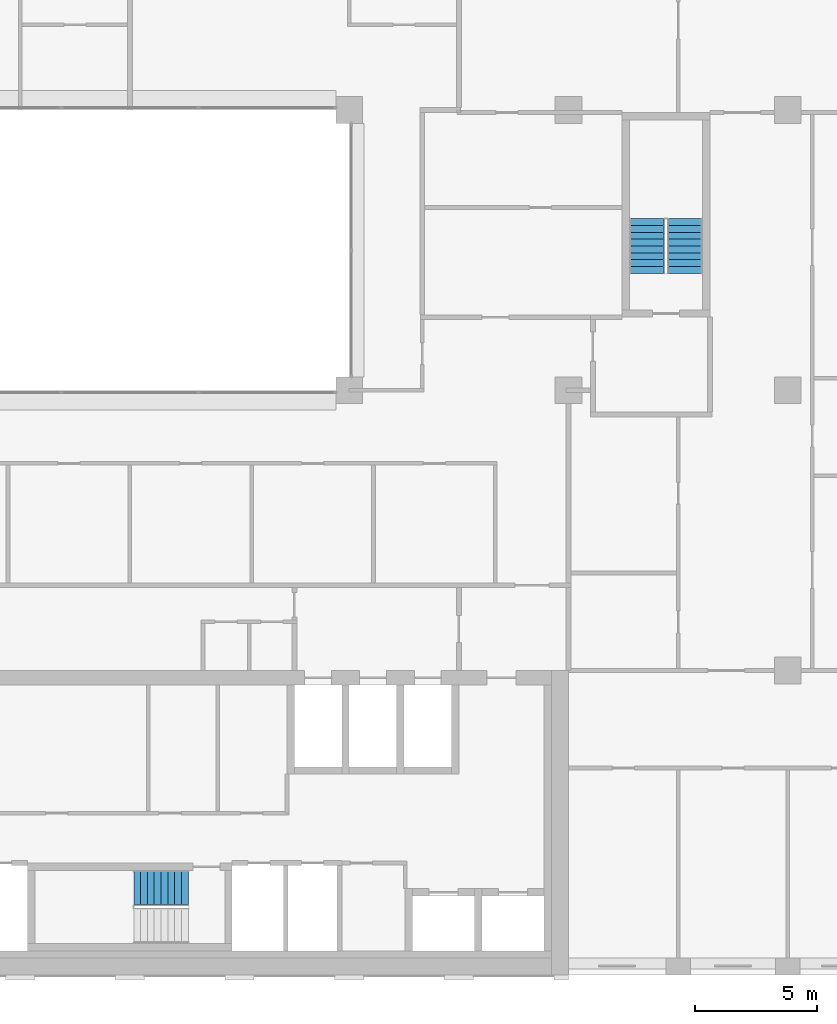
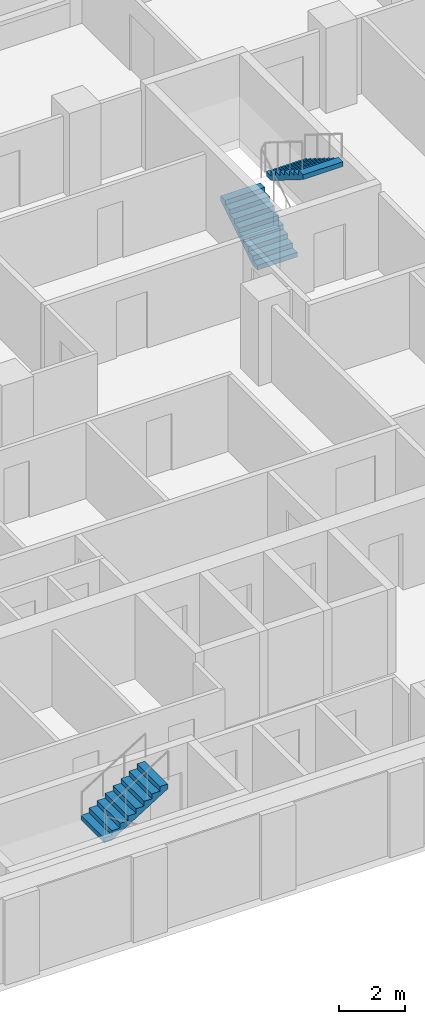
# One storey, part 15 of 16: 3 stair flights, 2 elements without a shape of their own.
"""IFC4 building model written with IfcOpenShell, lengths in metres."""

import ifcopenshell
import ifcopenshell.guid

model = None  # the IFC model being written
_history = None  # IfcOwnerHistory: only IFC2X3 demands one
_inside = {}  # id of a spatial element -> (the spatial element, [elements in it])
_under = {}  # id of a project, library or spatial element -> (it, [spatial elements below it])
_declared = {}  # id of a project -> (the project, [libraries it declares])
_typed = {}  # id of a type object -> (the type object, [elements of that type])
_made_of = {}  # id of a material, layer set ... -> (it, [elements and type objects made of it])


def new_model(schema):
    """Start an empty IFC model of exactly this schema.

    Asked for "IFC4X3", IfcOpenShell would pick the latest addendum, in which some entities
    have other attributes; the version numbers below select the first issue.
    IFC2X3 requires an IfcOwnerHistory on every rooted entity: one is made here for all.
    """
    global model, _history
    if schema == "IFC4X3":
        model = ifcopenshell.file(schema_version=(4, 3, 0, 0))
    else:
        model = ifcopenshell.file(schema=schema)
    _inside.clear()
    _under.clear()
    _declared.clear()
    _typed.clear()
    _made_of.clear()
    _history = None
    if model.schema == "IFC2X3":
        org = make("IfcOrganization", Name="unknown")
        user = make(
            "IfcPersonAndOrganization",
            ThePerson=make("IfcPerson", FamilyName="unknown"),
            TheOrganization=org,
        )
        app = make(
            "IfcApplication",
            ApplicationDeveloper=org,
            Version="unknown",
            ApplicationFullName="unknown",
            ApplicationIdentifier="unknown",
        )
        _history = make(
            "IfcOwnerHistory",
            OwningUser=user,
            OwningApplication=app,
            ChangeAction="ADDED",
            CreationDate=0,
        )
    return model


def make(cls, **values):
    """One entity of the class cls with the attributes given. An attribute that is None is left unset."""
    return model.create_entity(
        cls, **{name: value for name, value in values.items() if value is not None}
    )


def rooted(cls, **values):
    """An entity with a GlobalId (a new one), such as an element, a storey or a relation."""
    return make(cls, GlobalId=ifcopenshell.guid.new(), OwnerHistory=_history, **values)


def si_unit(unit_type, name, prefix=None):
    """IfcSIUnit, for example si_unit("LENGTHUNIT", "METRE", prefix="MILLI")."""
    return make("IfcSIUnit", UnitType=unit_type, Prefix=prefix, Name=name)


def assignment(units):
    """IfcUnitAssignment: the units of a project."""
    return None if units is None else make("IfcUnitAssignment", Units=units)


def point(xyz):
    """IfcCartesianPoint."""
    return None if xyz is None else make("IfcCartesianPoint", Coordinates=xyz)


def direction(xyz):
    """IfcDirection."""
    return None if xyz is None else make("IfcDirection", DirectionRatios=xyz)


def frame(location, z_axis=None, x_axis=None):
    """IfcAxis2Placement3D, a coordinate frame: its origin and axes. An axis left out is left unset."""
    return make(
        "IfcAxis2Placement3D",
        Location=point(location),
        Axis=direction(z_axis),
        RefDirection=direction(x_axis),
    )


def origin():
    """The frame at (0, 0, 0) with its axes left unset."""
    return frame((0.0, 0.0, 0.0))


def place(relative_to, where):
    """IfcLocalPlacement: puts the frame where relative to a parent placement (None: the world)."""
    return make(
        "IfcLocalPlacement", PlacementRelTo=relative_to, RelativePlacement=where
    )


def context(
    kind, dimensions, precision=None, world=None, true_north=None, identifier=None
):
    """IfcGeometricRepresentationContext, for example the 3D "Model" context."""
    return make(
        "IfcGeometricRepresentationContext",
        ContextIdentifier=identifier,
        ContextType=kind,
        CoordinateSpaceDimension=dimensions,
        Precision=precision,
        WorldCoordinateSystem=world,
        TrueNorth=true_north,
    )


def subcontext(parent, identifier, kind, view, scale=None):
    """IfcGeometricRepresentationSubContext, for example "Body" below "Model"."""
    return make(
        "IfcGeometricRepresentationSubContext",
        ContextIdentifier=identifier,
        ContextType=kind,
        ParentContext=parent,
        TargetScale=scale,
        TargetView=view,
    )


def project(units=None, contexts=None):
    """IfcProject with its units and contexts."""
    return rooted(
        "IfcProject",
        Name="project",
        RepresentationContexts=contexts,
        UnitsInContext=assignment(units),
    )


def spatial(cls, under=None, at=None, **own):
    """A site, building, storey or space (cls), placed at a placement, below another one or the project."""
    s = rooted(cls, ObjectPlacement=at, **own)
    if under is not None:
        _under.setdefault(under.id(), (under, []))[1].append(s)
    return s


def polyline(points):
    """IfcPolyline through the points."""
    return make("IfcPolyline", Points=[point(p) for p in points])


def outline(outer, holes=None, kind="AREA"):
    """IfcArbitraryClosedProfileDef: a profile drawn as a closed curve; with holes, ...WithVoids."""
    if holes is None:
        return make("IfcArbitraryClosedProfileDef", ProfileType=kind, OuterCurve=outer)
    return make(
        "IfcArbitraryProfileDefWithVoids",
        ProfileType=kind,
        OuterCurve=outer,
        InnerCurves=holes,
    )


def extrude(swept, where, along, depth):
    """IfcExtrudedAreaSolid: the profile swept, set in the frame where, extruded along a direction by depth."""
    return make(
        "IfcExtrudedAreaSolid",
        SweptArea=swept,
        Position=where,
        ExtrudedDirection=direction(along),
        Depth=depth,
    )


def shape(context_of_items, identifier, shape_type, items):
    """IfcShapeRepresentation: the items that make up one representation, for example the "Body"."""
    return make(
        "IfcShapeRepresentation",
        ContextOfItems=context_of_items,
        RepresentationIdentifier=identifier,
        RepresentationType=shape_type,
        Items=items,
    )


def material(Name=None, Category=None):
    """IfcMaterial."""
    return make("IfcMaterial", Name=Name, Category=Category)


def made_of(thing, what):
    """Note that an element or type object is made of a material, layer set ...; save() writes the relation."""
    if what is not None:
        _made_of.setdefault(what.id(), (what, []))[1].append(thing)
    return thing


def type_object(cls, material=None, **own):
    """A type object (cls), such as IfcWallType, which elements share."""
    return made_of(rooted(cls, **own), material)


def element(
    cls,
    number,
    at=None,
    inside=None,
    cuts=None,
    type_object=None,
    material=None,
    context=None,
    identifier="Body",
    shape_type=None,
    held_by="IfcProductDefinitionShape",
    body=None,
    shapes=None,
    **own,
):
    """One element of the class cls, such as IfcWall. Its Tag is "e" and its number.

    at: its placement. inside: the storey or other place that contains it. cuts: it is an
    opening in that element (IfcRelVoidsElement). A single representation is given by context,
    identifier, shape_type and body (its items); several are given by shapes. held_by: the class
    of the entity that holds the representations. save() writes the other relations.
    """
    e = rooted(cls, Tag="e%d" % number, ObjectPlacement=at, **own)
    if body is not None:
        shapes = [shape(context, identifier, shape_type, body)]
    if shapes is not None:
        e.Representation = make(held_by, Representations=shapes)
    if inside is not None:
        _inside.setdefault(inside.id(), (inside, []))[1].append(e)
    if cuts is not None:
        rooted(
            "IfcRelVoidsElement", RelatingBuildingElement=cuts, RelatedOpeningElement=e
        )
    if type_object is not None:
        _typed.setdefault(type_object.id(), (type_object, []))[1].append(e)
    return made_of(e, material)


def aggregate(whole, parts):
    """IfcRelAggregates: a whole, such as a stair, and the parts it consists of."""
    return rooted("IfcRelAggregates", RelatingObject=whole, RelatedObjects=parts)


def save(model, path):
    """Write the relations noted so far, then the file.

    IfcRelAggregates (storeys below a building ...), IfcRelContainedInSpatialStructure (elements
    in a storey), IfcRelDefinesByType, IfcRelAssociatesMaterial and IfcRelDeclares: one each for
    every whole, place, type object, material and project.
    """
    for whole, parts in _under.values():
        aggregate(whole, parts)
    for where, things in _inside.values():
        rooted(
            "IfcRelContainedInSpatialStructure",
            RelatedElements=things,
            RelatingStructure=where,
        )
    for kind, things in _typed.values():
        rooted("IfcRelDefinesByType", RelatedObjects=things, RelatingType=kind)
    for what, things in _made_of.values():
        rooted("IfcRelAssociatesMaterial", RelatedObjects=things, RelatingMaterial=what)
    for by, libraries in _declared.values():
        rooted("IfcRelDeclares", RelatingContext=by, RelatedDefinitions=libraries)
    model.write(path)


model = new_model("IFC4")

# Units and contexts
model_context = context("Model", 3, precision=1e-05, world=origin(), true_north=direction((0.0, 1.0)))
body_context = subcontext(model_context, "Body", "Model", "MODEL_VIEW")
ifc_project = project(units=[si_unit("LENGTHUNIT", "METRE"), si_unit("AREAUNIT", "SQUARE_METRE"), si_unit("VOLUMEUNIT", "CUBIC_METRE"), si_unit("PLANEANGLEUNIT", "RADIAN"), si_unit("MASSUNIT", "GRAM", prefix="KILO")], contexts=[model_context])

# Site, building, storey
site_placement = place(None, origin())
site = spatial("IfcSite", under=ifc_project, at=site_placement, CompositionType="ELEMENT")
building_placement = place(site_placement, origin())
building = spatial("IfcBuilding", under=site, at=building_placement, Name="Brigalow Station Residences", CompositionType="ELEMENT")
storey_placement = place(building_placement, frame((0.0, 0.0, 169.64990234375)))
storey = spatial("IfcBuildingStorey", under=building, at=storey_placement, Name="L49", CompositionType="ELEMENT", Elevation=169.64990234375)

# Stair, stair flight
ifc_material_1 = material(Name="Concrete C50", Category="concrete")
stair_type = type_object("IfcStairType", Name="EXIT STAIR 1400 2 FLIGHT", PredefinedType="HALF_TURN_STAIR", material=ifc_material_1)
stair_1_placement = place(storey_placement, origin())
stair_1 = element("IfcStair", 1, at=stair_1_placement, inside=storey, type_object=stair_type, Name="EXIT STAIR S2 L49", PredefinedType="HALF_TURN_STAIR")
ifc_material_2 = material(Name="Concrete C50", Category="concrete")
stair_flight_type = type_object("IfcStairFlightType", Name="STAIR FLIGHT 1400", PredefinedType="STRAIGHT", material=ifc_material_2)
stair_flight_1_placement = place(storey_placement, frame((36.159912109375, 3.60009765625, 1.5751953125), z_axis=(0.0, 0.0, 1.0), x_axis=(1.0, 0.0, 0.0)))
stair_flight_1 = element("IfcStairFlight", 2, at=stair_flight_1_placement, type_object=stair_flight_type, Name="ST-2 flight 2", NumberOfRisers=9, NumberOfTreads=8, PredefinedType="STRAIGHT", RiserHeight=0.175, TreadLength=0.28, context=body_context, shape_type="SweptSolid", body=[
    extrude(outline(polyline([(0.0, 0.0), (0.0, 0.175048828125), (0.280029296875, 0.175048828125), (0.280029296875, 0.35009765625), (0.56005859375, 0.35009765625), (0.56005859375, 0.52490234375), (0.840087890625, 0.52490234375), (0.840087890625, 0.699951171875), (1.1201171875, 0.699951171875), (1.1201171875, 0.875), (1.39990234375, 0.875), (1.39990234375, 1.050048828125), (1.679931640625, 1.050048828125), (1.679931640625, 1.22509765625), (1.9599609375, 1.22509765625), (1.9599609375, 1.39990234375), (2.239990234375, 1.39990234375), (2.239990234375, 1.574951171875), (2.239990234375, 1.22314453125), (0.28271484375, 0.0), (0.0, 0.0)])), frame((0.0, 0.699951171875, 0.0), z_axis=(0.0, -1.0, 0.0), x_axis=(1.0, 0.0, 0.0)), (0.0, 0.0, 1.0), 1.39990234375),
])
aggregate(stair_1, [stair_flight_1])

# Stair, stair flights
stair_2_placement = place(storey_placement, origin())
stair_2 = element("IfcStair", 3, at=stair_2_placement, inside=storey, type_object=stair_type, Name="EXIT STAIR S3 L49", PredefinedType="HALF_TURN_STAIR")
stair_flight_2_placement = place(storey_placement, frame((57.199951171875, 28.800048828125, 0.0), z_axis=(0.0, 0.0, 1.0), x_axis=(0.0, 1.0, 0.0)))
stair_flight_2 = element("IfcStairFlight", 4, at=stair_flight_2_placement, type_object=stair_flight_type, Name="ST-3 flight 1", NumberOfRisers=9, NumberOfTreads=8, PredefinedType="STRAIGHT", RiserHeight=0.175, TreadLength=0.28, context=body_context, shape_type="SweptSolid", body=[
    extrude(outline(polyline([(0.0, 0.0), (0.0, 0.175048828125), (0.280029296875, 0.175048828125), (0.280029296875, 0.35009765625), (0.56005859375, 0.35009765625), (0.56005859375, 0.52490234375), (0.840087890625, 0.52490234375), (0.840087890625, 0.699951171875), (1.1201171875, 0.699951171875), (1.1201171875, 0.875), (1.39990234375, 0.875), (1.39990234375, 1.050048828125), (1.679931640625, 1.050048828125), (1.679931640625, 1.22509765625), (1.9599609375, 1.22509765625), (1.9599609375, 1.39990234375), (2.239990234375, 1.39990234375), (2.239990234375, 1.574951171875), (2.239990234375, 1.22314453125), (0.28271484375, 0.0), (0.0, 0.0)])), frame((0.0, 0.699951171875, 0.0), z_axis=(0.0, -1.0, 0.0), x_axis=(1.0, 0.0, 0.0)), (0.0, 0.0, 1.0), 1.39990234375),
])
stair_flight_3_placement = place(storey_placement, frame((58.800048828125, 31.0400390625, 1.5751953125), z_axis=(0.0, 0.0, 1.0), x_axis=(0.0, -1.0, 0.0)))
stair_flight_3 = element("IfcStairFlight", 5, at=stair_flight_3_placement, type_object=stair_flight_type, Name="ST-3 flight 2", NumberOfRisers=9, NumberOfTreads=8, PredefinedType="STRAIGHT", RiserHeight=0.175, TreadLength=0.28, context=body_context, shape_type="SweptSolid", body=[
    extrude(outline(polyline([(0.0, 0.0), (0.0, 0.175048828125), (0.280029296875, 0.175048828125), (0.280029296875, 0.35009765625), (0.56005859375, 0.35009765625), (0.56005859375, 0.52490234375), (0.840087890625, 0.52490234375), (0.840087890625, 0.699951171875), (1.1201171875, 0.699951171875), (1.1201171875, 0.875), (1.39990234375, 0.875), (1.39990234375, 1.050048828125), (1.679931640625, 1.050048828125), (1.679931640625, 1.22509765625), (1.9599609375, 1.22509765625), (1.9599609375, 1.39990234375), (2.239990234375, 1.39990234375), (2.239990234375, 1.574951171875), (2.239990234375, 1.22314453125), (0.28271484375, 0.0), (0.0, 0.0)])), frame((0.0, 0.699951171875, 0.0), z_axis=(0.0, -1.0, 0.0), x_axis=(1.0, 0.0, 0.0)), (0.0, 0.0, 1.0), 1.39990234375),
])
aggregate(stair_2, [stair_flight_2, stair_flight_3])

save(model, "model.ifc")
